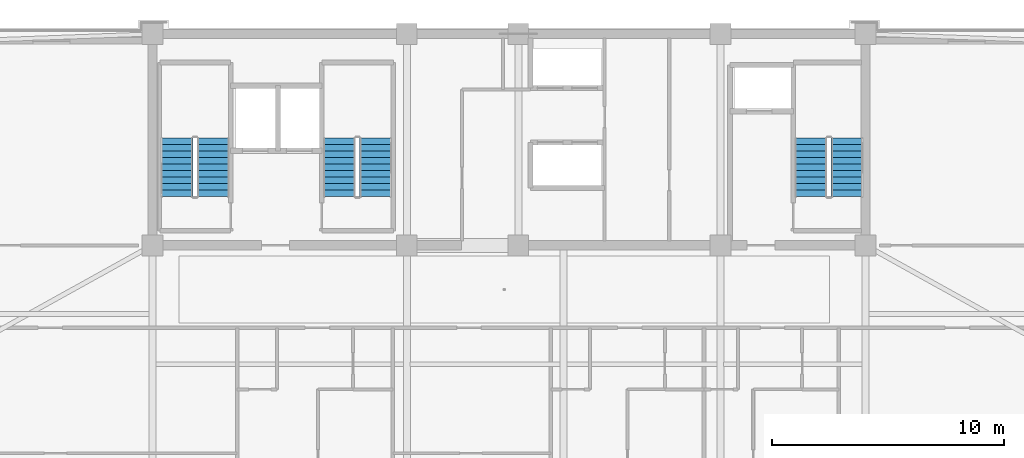
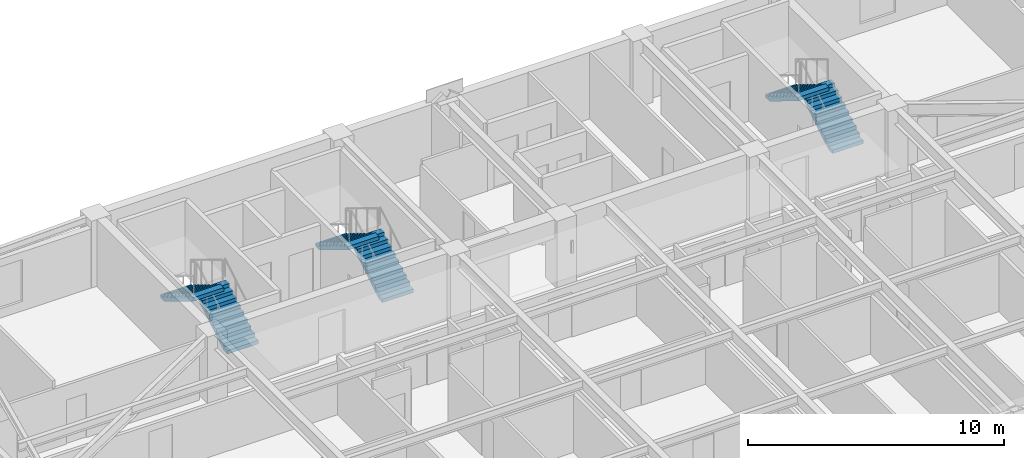
# One storey, part 12 of 18: 6 stair flights, 3 elements without a shape of their own.
"""IFC4 building model written with IfcOpenShell, lengths in metres."""

from ifc_helpers import new_model, si_unit, direction, frame, origin, place, context, subcontext, project, spatial, polyline, outline, extrude, material, type_object, element, aggregate, save


model = new_model("IFC4")

# Units and contexts
model_context = context("Model", 3, precision=1e-05, world=origin(), true_north=direction((0.0, 1.0)))
body_context = subcontext(model_context, "Body", "Model", "MODEL_VIEW")
ifc_project = project(units=[si_unit("LENGTHUNIT", "METRE"), si_unit("AREAUNIT", "SQUARE_METRE"), si_unit("VOLUMEUNIT", "CUBIC_METRE"), si_unit("PLANEANGLEUNIT", "RADIAN"), si_unit("MASSUNIT", "GRAM", prefix="KILO")], contexts=[model_context])

# Site, building, storey
site_placement = place(None, origin())
site = spatial("IfcSite", under=ifc_project, at=site_placement, CompositionType="ELEMENT")
building_placement = place(site_placement, origin())
building = spatial("IfcBuilding", under=site, at=building_placement, Name="Giltprow Tower", CompositionType="ELEMENT")
storey_placement = place(building_placement, frame((0.0, 0.0, 265.5)))
storey = spatial("IfcBuildingStorey", under=building, at=storey_placement, Name="L68", CompositionType="ELEMENT", Elevation=265.5)

# Stair, stair flights
ifc_material = material(Name="Concrete C40", Category="concrete")
stair_type_1 = type_object("IfcStairType", Name="STR-ST-1", PredefinedType="HALF_TURN_STAIR", material=ifc_material)
stair_1_placement = place(storey_placement, origin())
stair_1 = element("IfcStair", 1, at=stair_1_placement, inside=storey, type_object=stair_type_1, Name="L68 Core Exit Stair ST-1", PredefinedType="HALF_TURN_STAIR")
stair_flight_type_1 = type_object("IfcStairFlightType", Name="SFL-ST-1", PredefinedType="STRAIGHT", material=ifc_material)
stair_flight_1_placement = place(storey_placement, frame((22.4599609375, 39.550048828125, 0.0), z_axis=(0.0, 0.0, 1.0), x_axis=(0.0, 1.0, 0.0)))
stair_flight_1 = element("IfcStairFlight", 2, at=stair_flight_1_placement, type_object=stair_flight_type_1, Name="ST-1 flight 1", NumberOfRisers=10, NumberOfTreads=9, PredefinedType="STRAIGHT", RiserHeight=0.17, TreadLength=0.28, context=body_context, shape_type="SweptSolid", body=[
    extrude(outline(polyline([(0.0, 0.0), (0.0, 0.169921875), (0.280029296875, 0.169921875), (0.280029296875, 0.340087890625), (0.56005859375, 0.340087890625), (0.56005859375, 0.510009765625), (0.840087890625, 0.510009765625), (0.840087890625, 0.679931640625), (1.1201171875, 0.679931640625), (1.1201171875, 0.85009765625), (1.39990234375, 0.85009765625), (1.39990234375, 1.02001953125), (1.679931640625, 1.02001953125), (1.679931640625, 1.18994140625), (1.9599609375, 1.18994140625), (1.9599609375, 1.360107421875), (2.239990234375, 1.360107421875), (2.239990234375, 1.530029296875), (2.52001953125, 1.530029296875), (2.52001953125, 1.699951171875), (2.52001953125, 1.354736328125), (0.288818359375, 0.0), (0.0, 0.0)])), frame((0.0, 0.699951171875, 0.0), z_axis=(0.0, -1.0, 0.0), x_axis=(1.0, 0.0, 0.0)), (0.0, 0.0, 1.0), 1.39990234375),
])
stair_flight_2_placement = place(storey_placement, frame((20.89990234375, 42.070068359375, 1.699951171875), z_axis=(0.0, 0.0, 1.0), x_axis=(0.0, -1.0, 0.0)))
stair_flight_2 = element("IfcStairFlight", 3, at=stair_flight_2_placement, type_object=stair_flight_type_1, Name="ST-1 flight 2", NumberOfRisers=10, NumberOfTreads=9, PredefinedType="STRAIGHT", RiserHeight=0.17, TreadLength=0.28, context=body_context, shape_type="SweptSolid", body=[
    extrude(outline(polyline([(0.0, 0.0), (0.0, 0.169921875), (0.280029296875, 0.169921875), (0.280029296875, 0.340087890625), (0.56005859375, 0.340087890625), (0.56005859375, 0.510009765625), (0.840087890625, 0.510009765625), (0.840087890625, 0.679931640625), (1.1201171875, 0.679931640625), (1.1201171875, 0.85009765625), (1.39990234375, 0.85009765625), (1.39990234375, 1.02001953125), (1.679931640625, 1.02001953125), (1.679931640625, 1.18994140625), (1.9599609375, 1.18994140625), (1.9599609375, 1.360107421875), (2.239990234375, 1.360107421875), (2.239990234375, 1.530029296875), (2.52001953125, 1.530029296875), (2.52001953125, 1.699951171875), (2.52001953125, 1.354736328125), (0.288818359375, 0.0), (0.0, 0.0)])), frame((0.0, 0.699951171875, 0.0), z_axis=(0.0, -1.0, 0.0), x_axis=(1.0, 0.0, 0.0)), (0.0, 0.0, 1.0), 1.39990234375),
])
aggregate(stair_1, [stair_flight_1, stair_flight_2])

stair_type_2 = type_object("IfcStairType", Name="STR-ST-2", PredefinedType="HALF_TURN_STAIR", material=ifc_material)
stair_2_placement = place(storey_placement, origin())
stair_2 = element("IfcStair", 4, at=stair_2_placement, inside=storey, type_object=stair_type_2, Name="L68 Core Exit Stair ST-2", PredefinedType="HALF_TURN_STAIR")
stair_flight_type_2 = type_object("IfcStairFlightType", Name="SFL-ST-2", PredefinedType="STRAIGHT", material=ifc_material)
stair_flight_3_placement = place(storey_placement, frame((29.4599609375, 39.550048828125, 0.0), z_axis=(0.0, 0.0, 1.0), x_axis=(0.0, 1.0, 0.0)))
stair_flight_3 = element("IfcStairFlight", 5, at=stair_flight_3_placement, type_object=stair_flight_type_2, Name="ST-2 flight 1", NumberOfRisers=10, NumberOfTreads=9, PredefinedType="STRAIGHT", RiserHeight=0.17, TreadLength=0.28, context=body_context, shape_type="SweptSolid", body=[
    extrude(outline(polyline([(0.0, 0.0), (0.0, 0.169921875), (0.280029296875, 0.169921875), (0.280029296875, 0.340087890625), (0.56005859375, 0.340087890625), (0.56005859375, 0.510009765625), (0.840087890625, 0.510009765625), (0.840087890625, 0.679931640625), (1.1201171875, 0.679931640625), (1.1201171875, 0.85009765625), (1.39990234375, 0.85009765625), (1.39990234375, 1.02001953125), (1.679931640625, 1.02001953125), (1.679931640625, 1.18994140625), (1.9599609375, 1.18994140625), (1.9599609375, 1.360107421875), (2.239990234375, 1.360107421875), (2.239990234375, 1.530029296875), (2.52001953125, 1.530029296875), (2.52001953125, 1.699951171875), (2.52001953125, 1.354736328125), (0.288818359375, 0.0), (0.0, 0.0)])), frame((0.0, 0.699951171875, 0.0), z_axis=(0.0, -1.0, 0.0), x_axis=(1.0, 0.0, 0.0)), (0.0, 0.0, 1.0), 1.39990234375),
])
stair_flight_4_placement = place(storey_placement, frame((27.89990234375, 42.070068359375, 1.699951171875), z_axis=(0.0, 0.0, 1.0), x_axis=(0.0, -1.0, 0.0)))
stair_flight_4 = element("IfcStairFlight", 6, at=stair_flight_4_placement, type_object=stair_flight_type_2, Name="ST-2 flight 2", NumberOfRisers=10, NumberOfTreads=9, PredefinedType="STRAIGHT", RiserHeight=0.17, TreadLength=0.28, context=body_context, shape_type="SweptSolid", body=[
    extrude(outline(polyline([(0.0, 0.0), (0.0, 0.169921875), (0.280029296875, 0.169921875), (0.280029296875, 0.340087890625), (0.56005859375, 0.340087890625), (0.56005859375, 0.510009765625), (0.840087890625, 0.510009765625), (0.840087890625, 0.679931640625), (1.1201171875, 0.679931640625), (1.1201171875, 0.85009765625), (1.39990234375, 0.85009765625), (1.39990234375, 1.02001953125), (1.679931640625, 1.02001953125), (1.679931640625, 1.18994140625), (1.9599609375, 1.18994140625), (1.9599609375, 1.360107421875), (2.239990234375, 1.360107421875), (2.239990234375, 1.530029296875), (2.52001953125, 1.530029296875), (2.52001953125, 1.699951171875), (2.52001953125, 1.354736328125), (0.288818359375, 0.0), (0.0, 0.0)])), frame((0.0, 0.699951171875, 0.0), z_axis=(0.0, -1.0, 0.0), x_axis=(1.0, 0.0, 0.0)), (0.0, 0.0, 1.0), 1.39990234375),
])
aggregate(stair_2, [stair_flight_3, stair_flight_4])

stair_type_3 = type_object("IfcStairType", Name="STR-ST-3", PredefinedType="HALF_TURN_STAIR", material=ifc_material)
stair_3_placement = place(storey_placement, origin())
stair_3 = element("IfcStair", 7, at=stair_3_placement, inside=storey, type_object=stair_type_3, Name="L68 Core Exit Stair ST-3", PredefinedType="HALF_TURN_STAIR")
stair_flight_type_3 = type_object("IfcStairFlightType", Name="SFL-ST-3", PredefinedType="STRAIGHT", material=ifc_material)
stair_flight_5_placement = place(storey_placement, frame((49.760009765625, 39.550048828125, 0.0), z_axis=(0.0, 0.0, 1.0), x_axis=(0.0, 1.0, 0.0)))
stair_flight_5 = element("IfcStairFlight", 8, at=stair_flight_5_placement, type_object=stair_flight_type_3, Name="ST-3 flight 1", NumberOfRisers=10, NumberOfTreads=9, PredefinedType="STRAIGHT", RiserHeight=0.17, TreadLength=0.28, context=body_context, shape_type="SweptSolid", body=[
    extrude(outline(polyline([(0.0, 0.0), (0.0, 0.169921875), (0.280029296875, 0.169921875), (0.280029296875, 0.340087890625), (0.56005859375, 0.340087890625), (0.56005859375, 0.510009765625), (0.840087890625, 0.510009765625), (0.840087890625, 0.679931640625), (1.1201171875, 0.679931640625), (1.1201171875, 0.85009765625), (1.39990234375, 0.85009765625), (1.39990234375, 1.02001953125), (1.679931640625, 1.02001953125), (1.679931640625, 1.18994140625), (1.9599609375, 1.18994140625), (1.9599609375, 1.360107421875), (2.239990234375, 1.360107421875), (2.239990234375, 1.530029296875), (2.52001953125, 1.530029296875), (2.52001953125, 1.699951171875), (2.52001953125, 1.354736328125), (0.288818359375, 0.0), (0.0, 0.0)])), frame((0.0, 0.699951171875, 0.0), z_axis=(0.0, -1.0, 0.0), x_axis=(1.0, 0.0, 0.0)), (0.0, 0.0, 1.0), 1.39990234375),
])
stair_flight_6_placement = place(storey_placement, frame((48.199951171875, 42.070068359375, 1.699951171875), z_axis=(0.0, 0.0, 1.0), x_axis=(0.0, -1.0, 0.0)))
stair_flight_6 = element("IfcStairFlight", 9, at=stair_flight_6_placement, type_object=stair_flight_type_3, Name="ST-3 flight 2", NumberOfRisers=10, NumberOfTreads=9, PredefinedType="STRAIGHT", RiserHeight=0.17, TreadLength=0.28, context=body_context, shape_type="SweptSolid", body=[
    extrude(outline(polyline([(0.0, 0.0), (0.0, 0.169921875), (0.280029296875, 0.169921875), (0.280029296875, 0.340087890625), (0.56005859375, 0.340087890625), (0.56005859375, 0.510009765625), (0.840087890625, 0.510009765625), (0.840087890625, 0.679931640625), (1.1201171875, 0.679931640625), (1.1201171875, 0.85009765625), (1.39990234375, 0.85009765625), (1.39990234375, 1.02001953125), (1.679931640625, 1.02001953125), (1.679931640625, 1.18994140625), (1.9599609375, 1.18994140625), (1.9599609375, 1.360107421875), (2.239990234375, 1.360107421875), (2.239990234375, 1.530029296875), (2.52001953125, 1.530029296875), (2.52001953125, 1.699951171875), (2.52001953125, 1.354736328125), (0.288818359375, 0.0), (0.0, 0.0)])), frame((0.0, 0.699951171875, 0.0), z_axis=(0.0, -1.0, 0.0), x_axis=(1.0, 0.0, 0.0)), (0.0, 0.0, 1.0), 1.39990234375),
])
aggregate(stair_3, [stair_flight_5, stair_flight_6])

save(model, "model.ifc")
